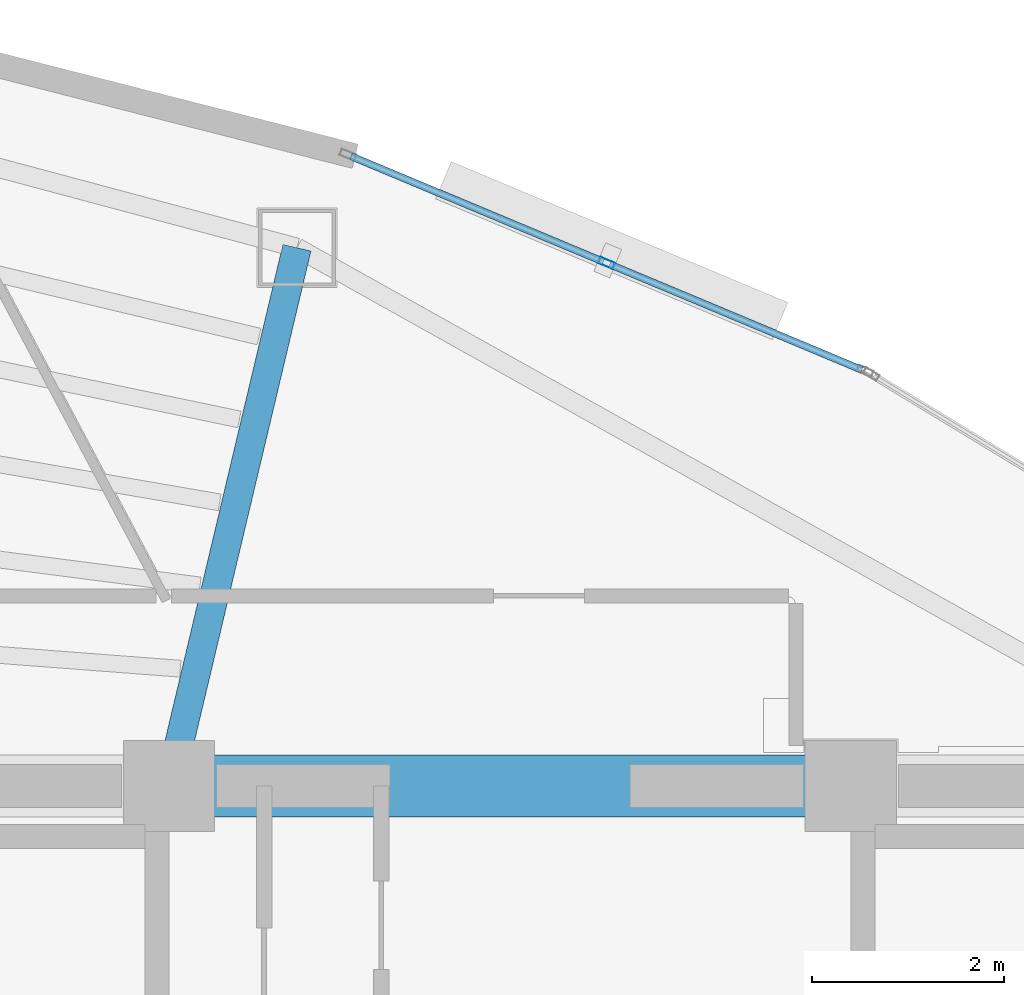
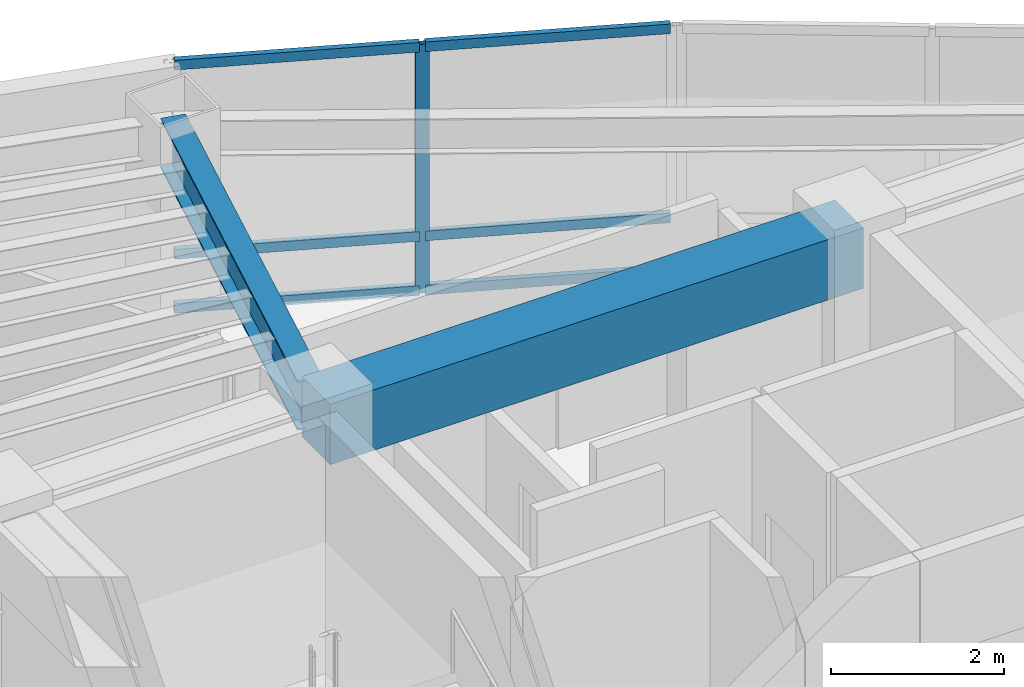
# One storey, part 8 of 15: 7 members, 2 beams, 1 element without a shape of its own.
"""IFC4 building model written with IfcOpenShell, lengths in metres."""

from ifc_helpers import new_model, si_unit, direction, frame, origin, origin_2d, place, context, subcontext, project, spatial, rectangle, hollow_rectangle, i_section, extrude, material, layer, layer_set, material_profile, profile_set, type_object, element, aggregate, save


model = new_model("IFC4")

# Units and contexts
model_context = context("Model", 3, precision=1e-05, world=origin(), true_north=direction((0.0, 1.0)))
body_context = subcontext(model_context, "Body", "Model", "MODEL_VIEW")
ifc_project = project(units=[si_unit("LENGTHUNIT", "METRE"), si_unit("AREAUNIT", "SQUARE_METRE"), si_unit("VOLUMEUNIT", "CUBIC_METRE"), si_unit("PLANEANGLEUNIT", "RADIAN"), si_unit("MASSUNIT", "GRAM", prefix="KILO")], contexts=[model_context])

# Site, building, storey
site_placement = place(None, origin())
site = spatial("IfcSite", under=ifc_project, at=site_placement, CompositionType="ELEMENT")
building_placement = place(site_placement, origin())
building = spatial("IfcBuilding", under=site, at=building_placement, Name="Menara Vayukalpa", CompositionType="ELEMENT")
storey_placement = place(building_placement, frame((0.0, 0.0, 254.580078125)))
storey = spatial("IfcBuildingStorey", under=building, at=storey_placement, Name="L64", CompositionType="ELEMENT", Elevation=254.580078125)

# Beams
ifc_material_1 = material(Name="Concrete C60/75", Category="concrete")
ifc_material_profile_1 = material_profile(ifc_material_1, rectangle(XDim=0.64990234375, YDim=0.85009765625, at=origin_2d()), Name="RC 650x850")
ifc_profile_set_1 = profile_set([ifc_material_profile_1], Name="Concrete C60/75")
beam_type_1 = type_object("IfcBeamType", Name="BM-CB1", PredefinedType="BEAM", material=ifc_profile_set_1)
beam_1_placement = place(storey_placement, frame((22.050048828125, 26.800048828125, 3.074951171875), z_axis=(1.0, 0.0, 0.0), x_axis=(0.0, 1.0, 0.0)))
element("IfcBeam", 1, at=beam_1_placement, inside=storey, type_object=beam_type_1, Name="L64 Core Tie Beam CBR5", PredefinedType="BEAM", context=body_context, shape_type="SweptSolid", body=[
    extrude(rectangle(XDim=0.64990234375, YDim=0.85009765625, at=origin_2d()), origin(), (0.0, 0.0, 1.0), 7.099853515625),
])
ifc_material_2 = material(Name="Steel S355", Category="steel")
ifc_material_profile_2 = material_profile(ifc_material_2, i_section(OverallWidth=0.300048828125, OverallDepth=0.699951171875, WebThickness=0.012939453125, FlangeThickness=0.02392578125, at=origin_2d()), Name="WF 700x300x13x24")
ifc_profile_set_2 = profile_set([ifc_material_profile_2], Name="Steel S355")
beam_type_2 = type_object("IfcBeamType", Name="BM-PG5", PredefinedType="BEAM", material=ifc_profile_set_2)
beam_2_placement = place(storey_placement, frame((22.10791015625, 27.043212890625, 3.14990234375), z_axis=(0.231167310854, 0.972914011818, 0.0), x_axis=(-0.972914011818, 0.231167310854, 0.0)))
element("IfcBeam", 2, at=beam_2_placement, inside=storey, type_object=beam_type_2, Name="L64 Primary Radial Girder RG03", PredefinedType="BEAM", context=body_context, shape_type="SweptSolid", body=[
    extrude(i_section(OverallWidth=0.300048828125, OverallDepth=0.699951171875, WebThickness=0.012939453125, FlangeThickness=0.02392578125, at=origin_2d()), origin(), (0.0, 0.0, 1.0), 5.5107421875),
])

# Curtain wall, members
ifc_material_3 = material(Name="Anodised Terracotta Aluminium Alloy 6063-T6", Category="masonry")
ifc_layer = layer(ifc_material_3, 0.1650390625)
ifc_layer_set = layer_set([ifc_layer], Name="Anodised Terracotta Aluminium Alloy 6063-T6")
curtain_wall_type = type_object("IfcCurtainWallType", Name="CW-CW6", PredefinedType="USERDEFINED", material=ifc_layer_set)
curtain_wall_placement = place(storey_placement, origin())
curtain_wall = element("IfcCurtainWall", 3, at=curtain_wall_placement, inside=storey, type_object=curtain_wall_type, Name="L64 Observation and Executive Curtain Wall CW6 05", ObjectType="UNITISED", PredefinedType="USERDEFINED")
ifc_material_4 = material(Name="Anodised Terracotta Aluminium Alloy 6063-T6", Category="masonry")
ifc_material_profile_3 = material_profile(ifc_material_4, hollow_rectangle(XDim=0.070068359375, YDim=0.1650390625, WallThickness=0.00390625, at=origin_2d()), Name="ALU 70x165x4")
ifc_profile_set_3 = profile_set([ifc_material_profile_3], Name="Anodised Terracotta Aluminium Alloy 6063-T6")
member_type_1 = type_object("IfcMemberType", Name="CWM-CW6", PredefinedType="MULLION", material=ifc_profile_set_3)
member_1_placement = place(storey_placement, frame((26.60595703125, 32.2451171875, 0.0), z_axis=(0.0, 0.0, 1.0), x_axis=(-0.385899911703, -0.922540653927, 0.0)))
member_1 = element("IfcMember", 4, at=member_1_placement, type_object=member_type_1, Name="CW6 mullion 2", PredefinedType="MULLION", context=body_context, shape_type="SweptSolid", body=[
    extrude(hollow_rectangle(XDim=0.070068359375, YDim=0.1650390625, WallThickness=0.00390625, at=origin_2d()), origin(), (0.0, 0.0, 1.0), 3.5),
])
ifc_material_5 = material(Name="Anodised Terracotta Aluminium Alloy 6063-T6", Category="masonry")
ifc_material_profile_4 = material_profile(ifc_material_5, hollow_rectangle(XDim=0.074951171875, YDim=0.135009765625, WallThickness=0.00390625, at=origin_2d()), Name="ALU 75x135x4")
ifc_profile_set_4 = profile_set([ifc_material_profile_4], Name="Anodised Terracotta Aluminium Alloy 6063-T6")
member_type_2 = type_object("IfcMemberType", Name="CWT-CW6", PredefinedType="USERDEFINED", material=ifc_profile_set_4)
member_2_placement = place(storey_placement, frame((29.266357421875, 31.13232421875, 0.037353515625), z_axis=(-0.922528286758, 0.385929475592, 0.0), x_axis=(-0.385929475592, -0.922528286758, 0.0)))
member_2 = element("IfcMember", 5, at=member_2_placement, type_object=member_type_2, Name="CW6 transom 1.1", ObjectType="TRANSOM", PredefinedType="USERDEFINED", context=body_context, shape_type="SweptSolid", body=[
    extrude(hollow_rectangle(XDim=0.074951171875, YDim=0.135009765625, WallThickness=0.00390625, at=origin_2d()), origin(), (0.0, 0.0, 1.0), 2.8486328125),
])
member_3_placement = place(storey_placement, frame((29.266357421875, 31.13232421875, 0.7998046875), z_axis=(-0.922528286758, 0.385929475592, 0.0), x_axis=(-0.385929475592, -0.922528286758, 0.0)))
member_3 = element("IfcMember", 6, at=member_3_placement, type_object=member_type_2, Name="CW6 transom 1.2", ObjectType="TRANSOM", PredefinedType="USERDEFINED", context=body_context, shape_type="SweptSolid", body=[
    extrude(hollow_rectangle(XDim=0.074951171875, YDim=0.135009765625, WallThickness=0.00390625, at=origin_2d()), origin(), (0.0, 0.0, 1.0), 2.8486328125),
])
member_4_placement = place(storey_placement, frame((29.266357421875, 31.13232421875, 3.46240234375), z_axis=(-0.922528286758, 0.385929475592, 0.0), x_axis=(-0.385929475592, -0.922528286758, 0.0)))
member_4 = element("IfcMember", 7, at=member_4_placement, type_object=member_type_2, Name="CW6 transom 1.3", ObjectType="TRANSOM", PredefinedType="USERDEFINED", context=body_context, shape_type="SweptSolid", body=[
    extrude(hollow_rectangle(XDim=0.074951171875, YDim=0.135009765625, WallThickness=0.00390625, at=origin_2d()), origin(), (0.0, 0.0, 1.0), 2.8486328125),
])
member_5_placement = place(storey_placement, frame((26.57373046875, 32.258544921875, 0.037353515625), z_axis=(-0.922541050276, 0.38589896418, 0.0), x_axis=(-0.38589896418, -0.922541050276, 0.0)))
member_5 = element("IfcMember", 8, at=member_5_placement, type_object=member_type_2, Name="CW6 transom 2.1", ObjectType="TRANSOM", PredefinedType="USERDEFINED", context=body_context, shape_type="SweptSolid", body=[
    extrude(hollow_rectangle(XDim=0.074951171875, YDim=0.135009765625, WallThickness=0.00390625, at=origin_2d()), origin(), (0.0, 0.0, 1.0), 2.848876953125),
])
member_6_placement = place(storey_placement, frame((26.57373046875, 32.258544921875, 0.7998046875), z_axis=(-0.922541050276, 0.38589896418, 0.0), x_axis=(-0.38589896418, -0.922541050276, 0.0)))
member_6 = element("IfcMember", 9, at=member_6_placement, type_object=member_type_2, Name="CW6 transom 2.2", ObjectType="TRANSOM", PredefinedType="USERDEFINED", context=body_context, shape_type="SweptSolid", body=[
    extrude(hollow_rectangle(XDim=0.074951171875, YDim=0.135009765625, WallThickness=0.00390625, at=origin_2d()), origin(), (0.0, 0.0, 1.0), 2.848876953125),
])
member_7_placement = place(storey_placement, frame((26.57373046875, 32.258544921875, 3.46240234375), z_axis=(-0.922541050276, 0.38589896418, 0.0), x_axis=(-0.38589896418, -0.922541050276, 0.0)))
member_7 = element("IfcMember", 10, at=member_7_placement, type_object=member_type_2, Name="CW6 transom 2.3", ObjectType="TRANSOM", PredefinedType="USERDEFINED", context=body_context, shape_type="SweptSolid", body=[
    extrude(hollow_rectangle(XDim=0.074951171875, YDim=0.135009765625, WallThickness=0.00390625, at=origin_2d()), origin(), (0.0, 0.0, 1.0), 2.848876953125),
])
aggregate(curtain_wall, [member_1, member_2, member_3, member_4, member_5, member_6, member_7])

save(model, "model.ifc")
